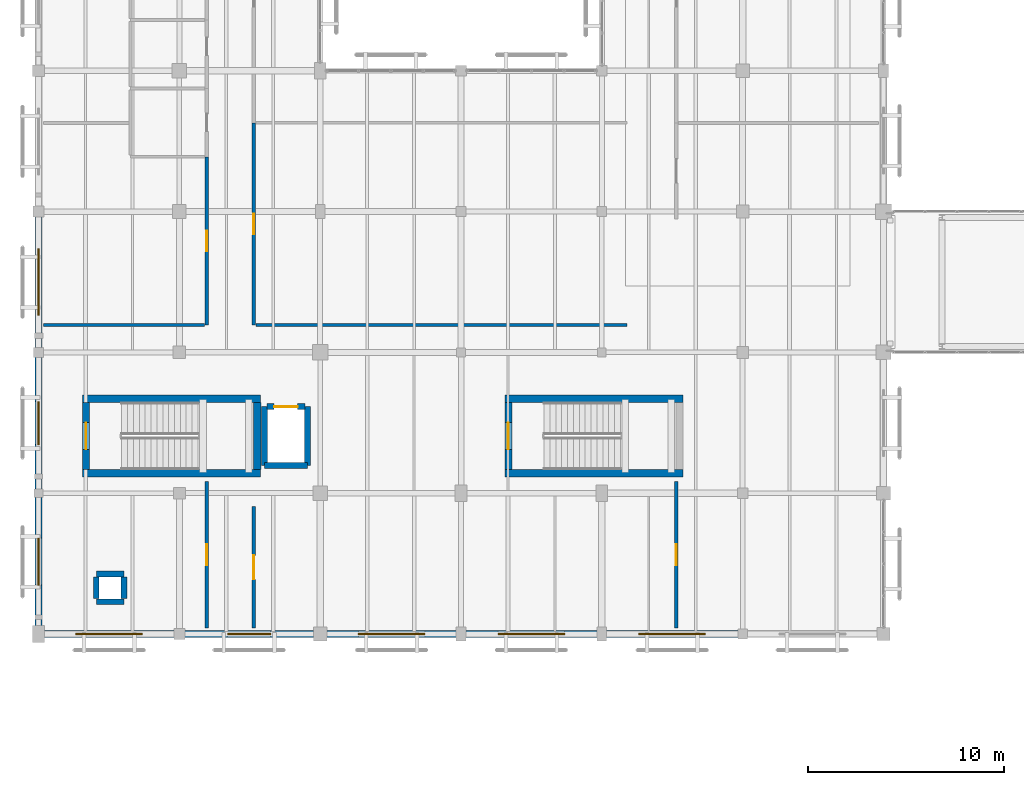
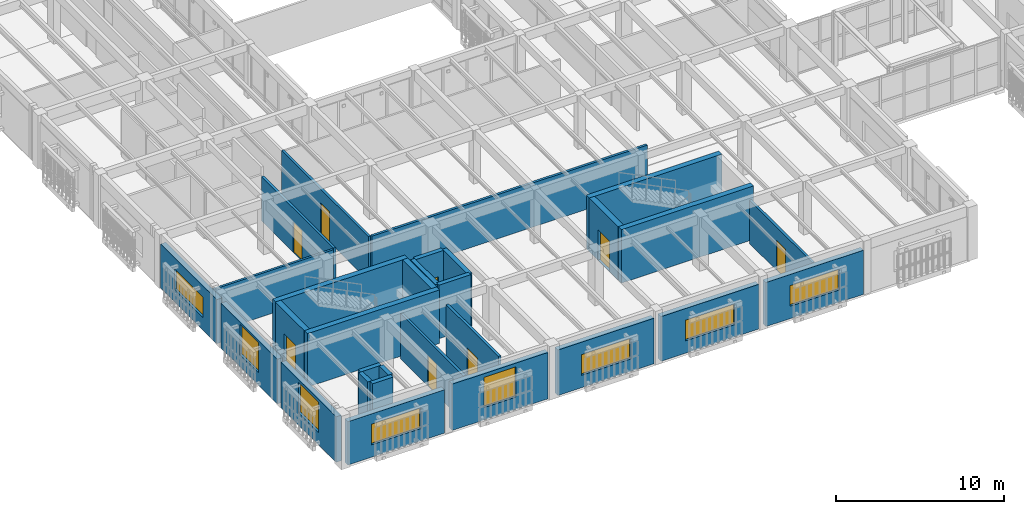
# One storey, part 128 of 170: 30 walls, 8 doors, 8 windows, 16 openings.
"""IFC4 building model written with IfcOpenShell, lengths in metres."""

from ifc_helpers import new_model, si_unit, direction, frame, frame_2d, origin, place, context, subcontext, project, spatial, rectangle, extrude, material, layer, layer_set, type_object, element, fill, save


model = new_model("IFC4")

# Units and contexts
model_context = context("Model", 3, precision=1e-05, world=origin(), true_north=direction((0.0, 1.0)))
body_context = subcontext(model_context, "Body", "Model", "MODEL_VIEW")
ifc_project = project(units=[si_unit("LENGTHUNIT", "METRE"), si_unit("AREAUNIT", "SQUARE_METRE"), si_unit("VOLUMEUNIT", "CUBIC_METRE"), si_unit("PLANEANGLEUNIT", "RADIAN"), si_unit("MASSUNIT", "GRAM", prefix="KILO")], contexts=[model_context])

# Site, building, storey
site_placement = place(None, origin())
site = spatial("IfcSite", under=ifc_project, at=site_placement, CompositionType="ELEMENT")
building_placement = place(site_placement, origin())
building = spatial("IfcBuilding", under=site, at=building_placement, Name="Mazaris Harbour Polytechnic", CompositionType="ELEMENT")
storey_placement = place(building_placement, frame((0.0, 0.0, 5.39990234375)))
storey = spatial("IfcBuildingStorey", under=building, at=storey_placement, Name="L01", CompositionType="ELEMENT", Elevation=5.39990234375)

# Wall
ifc_material_1 = material(Name="Double Gypsum and Mineral Wool")
ifc_layer_1 = layer(ifc_material_1, 0.14990234375, Name="Double Gypsum and Mineral Wool")
ifc_layer_set_1 = layer_set([ifc_layer_1], Name="Double Gypsum and Mineral Wool")
wall_type_1 = type_object("IfcWallType", Name="Classroom Acoustic Partition 150", PredefinedType="PARTITIONING", material=ifc_layer_set_1)
wall_1_placement = place(storey_placement, frame((0.25, 23.0, 0.0), z_axis=(0.0, 0.0, 1.0), x_axis=(1.0, 0.0, 0.0)))
element("IfcWall", 1, at=wall_1_placement, inside=storey, type_object=wall_type_1, Name="V4 L01 Partition 332", PredefinedType="PARTITIONING", context=body_context, shape_type="SweptSolid", body=[
    extrude(rectangle(XDim=8.22998046875, YDim=0.14990234375, at=frame_2d((4.114990234375, 0.0))), origin(), (0.0, 0.0, 1.0), 3.150146484375),
])

# Wall, opening, door
ifc_material_2 = material(Name="Terracotta Block and Plaster", Category="masonry")
ifc_layer_2 = layer(ifc_material_2, 0.179931640625, Name="Terracotta Block and Plaster")
ifc_layer_set_2 = layer_set([ifc_layer_2], Name="Terracotta Block and Plaster")
wall_type_2 = type_object("IfcWallType", Name="Corridor Fire Partition 180", PredefinedType="PARTITIONING", material=ifc_layer_set_2)
wall_2_placement = place(storey_placement, frame((11.0, 7.5, 0.0), z_axis=(0.0, 0.0, 1.0), x_axis=(0.0, 1.0, 0.0)))
wall_2 = element("IfcWall", 2, at=wall_2_placement, inside=storey, type_object=wall_type_2, Name="V4 L01 Partition 344", PredefinedType="PARTITIONING", context=body_context, shape_type="SweptSolid", body=[
    extrude(rectangle(XDim=6.219970703125, YDim=0.179931640625, at=frame_2d((3.10986328125, 0.0))), origin(), (0.0, 0.0, 1.0), 3.89013671875),
])
opening_1_placement = place(wall_2_placement, frame((2.5, 0.0, 0.0)))
opening_1 = element("IfcOpeningElement", 3, at=opening_1_placement, cuts=wall_2, Name="Opening ID-10L", PredefinedType="OPENING", context=body_context, shape_type="SweptSolid", body=[
    extrude(rectangle(XDim=1.219970703125, YDim=2.25, at=frame_2d((0.60986328125, 1.125))), frame((0.0, 0.099853515625, 0.0), z_axis=(0.0, -1.0, 0.0), x_axis=(1.0, 0.0, 0.0)), (0.0, 0.0, 1.0), 0.199951171875),
])
ifc_material_3 = material(Name="Glulam Timber and Glass", Category="wood")
door_type_1 = type_object("IfcDoorType", Name="Library Commons Door LH 1220x2250", OperationType="SINGLE_SWING_LEFT", PredefinedType="DOOR", material=ifc_material_3)
door_1_placement = place(opening_1_placement, origin())
door_1 = element("IfcDoor", 4, at=door_1_placement, inside=storey, type_object=door_type_1, Name="ID-0160", OperationType="SINGLE_SWING_LEFT", OverallHeight=2.25, OverallWidth=1.219970703125, PredefinedType="DOOR", context=body_context, shape_type="SweptSolid", body=[
    extrude(rectangle(XDim=1.219970703125, YDim=2.25, at=frame_2d((0.60986328125, 1.125))), frame((0.0, 0.02490234375, 0.0), z_axis=(0.0, -1.0, 0.0), x_axis=(1.0, 0.0, 0.0)), (0.0, 0.0, 1.0), 0.050048828125),
])
fill(opening_1, door_1)

ifc_material_4 = material(Name="Fireboard and Mineral Wool")
ifc_layer_3 = layer(ifc_material_4, 0.1650390625, Name="Fireboard and Mineral Wool")
ifc_layer_set_3 = layer_set([ifc_layer_3], Name="Fireboard and Mineral Wool")
wall_type_3 = type_object("IfcWallType", Name="Laboratory Rated Partition 165", PredefinedType="PARTITIONING", material=ifc_layer_set_3)
wall_3_placement = place(storey_placement, frame((8.60009765625, 7.5, 0.0), z_axis=(0.0, 0.0, 1.0), x_axis=(0.0, 1.0, 0.0)))
wall_3 = element("IfcWall", 5, at=wall_3_placement, inside=storey, type_object=wall_type_3, Name="V4 L01 Partition 331", PredefinedType="PARTITIONING", context=body_context, shape_type="SweptSolid", body=[
    extrude(rectangle(XDim=7.4951171875, YDim=0.1650390625, at=frame_2d((3.74755859375, 0.0))), origin(), (0.0, 0.0, 1.0), 3.31005859375),
])
opening_2_placement = place(wall_3_placement, frame((3.217529296875, 0.0, 0.0)))
opening_2 = element("IfcOpeningElement", 6, at=opening_2_placement, cuts=wall_3, Name="Opening ID-02R", PredefinedType="OPENING", context=body_context, shape_type="SweptSolid", body=[
    extrude(rectangle(XDim=1.06005859375, YDim=2.199951171875, at=frame_2d((0.530029296875, 1.10009765625))), frame((0.0, 0.092529296875, 0.0), z_axis=(0.0, -1.0, 0.0), x_axis=(1.0, 0.0, 0.0)), (0.0, 0.0, 1.0), 0.18505859375),
])
ifc_material_5 = material(Name="Solid Timber and Vision Panel", Category="wood")
door_type_2 = type_object("IfcDoorType", Name="Laboratory Fire Door RH 1060x2200", OperationType="SINGLE_SWING_RIGHT", PredefinedType="DOOR", material=ifc_material_5)
door_2_placement = place(opening_2_placement, origin())
door_2 = element("IfcDoor", 7, at=door_2_placement, inside=storey, type_object=door_type_2, Name="ID-0153", OperationType="SINGLE_SWING_RIGHT", OverallHeight=2.199951171875, OverallWidth=1.06005859375, PredefinedType="DOOR", context=body_context, shape_type="SweptSolid", body=[
    extrude(rectangle(XDim=1.06005859375, YDim=2.199951171875, at=frame_2d((0.530029296875, 1.10009765625))), frame((0.0, 0.02490234375, 0.0), z_axis=(0.0, -1.0, 0.0), x_axis=(1.0, 0.0, 0.0)), (0.0, 0.0, 1.0), 0.050048828125),
])
fill(opening_2, door_2)

wall_4_placement = place(storey_placement, frame((8.60009765625, 23.0, 0.0), z_axis=(0.0, 0.0, 1.0), x_axis=(0.0, 1.0, 0.0)))
wall_4 = element("IfcWall", 8, at=wall_4_placement, inside=storey, type_object=wall_type_3, Name="V4 L01 Partition 333", PredefinedType="PARTITIONING", context=body_context, shape_type="SweptSolid", body=[
    extrude(rectangle(XDim=8.594970703125, YDim=0.1650390625, at=frame_2d((4.29736328125, 0.0))), origin(), (0.0, 0.0, 1.0), 3.210205078125),
])
opening_3_placement = place(wall_4_placement, frame((3.7724609375, 0.0, 0.0)))
opening_3 = element("IfcOpeningElement", 9, at=opening_3_placement, cuts=wall_4, Name="Opening ID-02L", PredefinedType="OPENING", context=body_context, shape_type="SweptSolid", body=[
    extrude(rectangle(XDim=1.050048828125, YDim=2.199951171875, at=frame_2d((0.52490234375, 1.10009765625))), frame((0.0, 0.092529296875, 0.0), z_axis=(0.0, -1.0, 0.0), x_axis=(1.0, 0.0, 0.0)), (0.0, 0.0, 1.0), 0.18505859375),
])
ifc_material_6 = material(Name="Solid Timber and Vision Panel", Category="wood")
door_type_3 = type_object("IfcDoorType", Name="Laboratory Fire Door LH 1050x2200", OperationType="SINGLE_SWING_LEFT", PredefinedType="DOOR", material=ifc_material_6)
door_3_placement = place(opening_3_placement, origin())
door_3 = element("IfcDoor", 10, at=door_3_placement, inside=storey, type_object=door_type_3, Name="ID-0154", OperationType="SINGLE_SWING_LEFT", OverallHeight=2.199951171875, OverallWidth=1.050048828125, PredefinedType="DOOR", context=body_context, shape_type="SweptSolid", body=[
    extrude(rectangle(XDim=1.050048828125, YDim=2.199951171875, at=frame_2d((0.52490234375, 1.10009765625))), frame((0.0, 0.02490234375, 0.0), z_axis=(0.0, -1.0, 0.0), x_axis=(1.0, 0.0, 0.0)), (0.0, 0.0, 1.0), 0.050048828125),
])
fill(opening_3, door_3)

wall_5_placement = place(storey_placement, frame((11.0, 23.0, 0.0), z_axis=(0.0, 0.0, 1.0), x_axis=(0.0, 1.0, 0.0)))
wall_5 = element("IfcWall", 11, at=wall_5_placement, inside=storey, type_object=wall_type_3, Name="V4 L01 Partition 345", PredefinedType="PARTITIONING", context=body_context, shape_type="SweptSolid", body=[
    extrude(rectangle(XDim=10.3330078125, YDim=0.1650390625, at=frame_2d((5.16650390625, 0.0))), origin(), (0.0, 0.0, 1.0), 3.210205078125),
])
opening_4_placement = place(wall_5_placement, frame((4.636474609375, 0.0, 0.0)))
opening_4 = element("IfcOpeningElement", 12, at=opening_4_placement, cuts=wall_5, Name="Opening ID-02R", PredefinedType="OPENING", context=body_context, shape_type="SweptSolid", body=[
    extrude(rectangle(XDim=1.06005859375, YDim=2.199951171875, at=frame_2d((0.530029296875, 1.10009765625))), frame((0.0, 0.092529296875, 0.0), z_axis=(0.0, -1.0, 0.0), x_axis=(1.0, 0.0, 0.0)), (0.0, 0.0, 1.0), 0.18505859375),
])
door_4_placement = place(opening_4_placement, origin())
door_4 = element("IfcDoor", 13, at=door_4_placement, inside=storey, type_object=door_type_2, Name="ID-0161", OperationType="SINGLE_SWING_RIGHT", OverallHeight=2.199951171875, OverallWidth=1.06005859375, PredefinedType="DOOR", context=body_context, shape_type="SweptSolid", body=[
    extrude(rectangle(XDim=1.06005859375, YDim=2.199951171875, at=frame_2d((0.530029296875, 1.10009765625))), frame((0.0, 0.02490234375, 0.0), z_axis=(0.0, -1.0, 0.0), x_axis=(1.0, 0.0, 0.0)), (0.0, 0.0, 1.0), 0.050048828125),
])
fill(opening_4, door_4)

# Wall
wall_6_placement = place(storey_placement, frame((11.1201171875, 23.0, 0.0), z_axis=(0.0, 0.0, 1.0), x_axis=(1.0, 0.0, 0.0)))
element("IfcWall", 14, at=wall_6_placement, inside=storey, type_object=wall_type_3, Name="V4 L01 Partition 346", PredefinedType="PARTITIONING", context=body_context, shape_type="SweptSolid", body=[
    extrude(rectangle(XDim=18.9599609375, YDim=0.1650390625, at=frame_2d((9.47998046875, 0.0))), origin(), (0.0, 0.0, 1.0), 3.210205078125),
])

# Wall, opening, door
wall_7_placement = place(storey_placement, frame((32.60009765625, 7.5, 0.0), z_axis=(0.0, 0.0, 1.0), x_axis=(0.0, 1.0, 0.0)))
wall_7 = element("IfcWall", 15, at=wall_7_placement, inside=storey, type_object=wall_type_3, Name="V4 L01 Partition 357", PredefinedType="PARTITIONING", context=body_context, shape_type="SweptSolid", body=[
    extrude(rectangle(XDim=7.4951171875, YDim=0.1650390625, at=frame_2d((3.74755859375, 0.0))), origin(), (0.0, 0.0, 1.0), 3.150146484375),
])
opening_5_placement = place(wall_7_placement, frame((3.217529296875, 0.0, 0.0)))
opening_5 = element("IfcOpeningElement", 16, at=opening_5_placement, cuts=wall_7, Name="Opening ID-02R", PredefinedType="OPENING", context=body_context, shape_type="SweptSolid", body=[
    extrude(rectangle(XDim=1.06005859375, YDim=2.199951171875, at=frame_2d((0.530029296875, 1.10009765625))), frame((0.0, 0.092529296875, 0.0), z_axis=(0.0, -1.0, 0.0), x_axis=(1.0, 0.0, 0.0)), (0.0, 0.0, 1.0), 0.18505859375),
])
door_5_placement = place(opening_5_placement, origin())
door_5 = element("IfcDoor", 17, at=door_5_placement, inside=storey, type_object=door_type_2, Name="ID-0167", OperationType="SINGLE_SWING_RIGHT", OverallHeight=2.199951171875, OverallWidth=1.06005859375, PredefinedType="DOOR", context=body_context, shape_type="SweptSolid", body=[
    extrude(rectangle(XDim=1.06005859375, YDim=2.199951171875, at=frame_2d((0.530029296875, 1.10009765625))), frame((0.0, 0.02490234375, 0.0), z_axis=(0.0, -1.0, 0.0), x_axis=(1.0, 0.0, 0.0)), (0.0, 0.0, 1.0), 0.050048828125),
])
fill(opening_5, door_5)

# Wall, opening, window
ifc_material_7 = material(Name="Algerian Buff Limestone and Concrete C30/37", Category="masonry")
ifc_layer_4 = layer(ifc_material_7, 0.360107421875, Name="Algerian Buff Limestone and Concrete C30/37")
ifc_layer_set_4 = layer_set([ifc_layer_4], Name="Algerian Buff Limestone and Concrete C30/37")
wall_type_4 = type_object("IfcWallType", Name="Limestone Ashlar Exterior Wall 360", PredefinedType="STANDARD", material=ifc_layer_set_4)
wall_8_placement = place(storey_placement, frame((6.93310546875, 7.199951171875, 0.0), z_axis=(0.0, 0.0, 1.0), x_axis=(-1.0, 0.0, 0.0)))
wall_8 = element("IfcWall", 18, at=wall_8_placement, inside=storey, type_object=wall_type_4, Name="V4 L01 Exterior Wall 158", PredefinedType="STANDARD", context=body_context, shape_type="SweptSolid", body=[
    extrude(rectangle(XDim=6.64111328125, YDim=0.360107421875, at=frame_2d((3.320556640625, 0.0))), origin(), (0.0, 0.0, 1.0), 3.150146484375),
])
opening_6_placement = place(wall_8_placement, frame((1.62060546875, 0.0, 0.89990234375)))
opening_6 = element("IfcOpeningElement", 19, at=opening_6_placement, cuts=wall_8, Name="Opening WN-16", PredefinedType="OPENING", context=body_context, shape_type="SweptSolid", body=[
    extrude(rectangle(XDim=3.39990234375, YDim=1.5, at=frame_2d((1.699951171875, 0.75))), frame((0.0, 0.18994140625, 0.0), z_axis=(0.0, -1.0, 0.0), x_axis=(1.0, 0.0, 0.0)), (0.0, 0.0, 1.0), 0.380126953125),
])
ifc_material_8 = material(Name="Thermally Broken Bronze Aluminium and Low-E Glass", Category="aluminium")
window_type_1 = type_object("IfcWindowType", Name="Workshop Clerestory Ribbon 3400x1500", PartitioningType="DOUBLE_PANEL_VERTICAL", PredefinedType="WINDOW", material=ifc_material_8)
window_1_placement = place(opening_6_placement, origin())
window_1 = element("IfcWindow", 20, at=window_1_placement, inside=storey, type_object=window_type_1, Name="WN-0160", OverallHeight=1.5, OverallWidth=3.39990234375, PartitioningType="DOUBLE_PANEL_VERTICAL", PredefinedType="WINDOW", context=body_context, shape_type="SweptSolid", body=[
    extrude(rectangle(XDim=3.39990234375, YDim=1.5, at=frame_2d((1.699951171875, 0.75))), frame((0.0, 0.030029296875, 0.0), z_axis=(0.0, -1.0, 0.0), x_axis=(1.0, 0.0, 0.0)), (0.0, 0.0, 1.0), 0.06005859375),
])
fill(opening_6, window_1)

wall_9_placement = place(storey_placement, frame((14.05810546875, 7.199951171875, 0.0), z_axis=(0.0, 0.0, 1.0), x_axis=(-1.0, 0.0, 0.0)))
wall_9 = element("IfcWall", 21, at=wall_9_placement, inside=storey, type_object=wall_type_4, Name="V4 L01 Exterior Wall 159", PredefinedType="STANDARD", context=body_context, shape_type="SweptSolid", body=[
    extrude(rectangle(XDim=6.591064453125, YDim=0.360107421875, at=frame_2d((3.29541015625, 0.0))), origin(), (0.0, 0.0, 1.0), 3.3701171875),
])
opening_7_placement = place(wall_9_placement, frame((2.195556640625, 0.0, 0.89990234375)))
opening_7 = element("IfcOpeningElement", 22, at=opening_7_placement, cuts=wall_9, Name="Opening WN-06", PredefinedType="OPENING", context=body_context, shape_type="SweptSolid", body=[
    extrude(rectangle(XDim=2.199951171875, YDim=2.199951171875, at=frame_2d((1.10009765625, 1.10009765625))), frame((0.0, 0.18994140625, 0.0), z_axis=(0.0, -1.0, 0.0), x_axis=(1.0, 0.0, 0.0)), (0.0, 0.0, 1.0), 0.380126953125),
])
ifc_material_9 = material(Name="Thermally Broken Bronze Aluminium and Low-E Glass", Category="aluminium")
window_type_2 = type_object("IfcWindowType", Name="Laboratory Paired Window 2200x2200", PartitioningType="DOUBLE_PANEL_VERTICAL", PredefinedType="WINDOW", material=ifc_material_9)
window_2_placement = place(opening_7_placement, origin())
window_2 = element("IfcWindow", 23, at=window_2_placement, inside=storey, type_object=window_type_2, Name="WN-0161", OverallHeight=2.199951171875, OverallWidth=2.199951171875, PartitioningType="DOUBLE_PANEL_VERTICAL", PredefinedType="WINDOW", context=body_context, shape_type="SweptSolid", body=[
    extrude(rectangle(XDim=2.199951171875, YDim=2.199951171875, at=frame_2d((1.10009765625, 1.10009765625))), frame((0.0, 0.030029296875, 0.0), z_axis=(0.0, -1.0, 0.0), x_axis=(1.0, 0.0, 0.0)), (0.0, 0.0, 1.0), 0.06005859375),
])
fill(opening_7, window_2)

wall_10_placement = place(storey_placement, frame((21.35791015625, 7.199951171875, 0.0), z_axis=(0.0, 0.0, 1.0), x_axis=(-1.0, 0.0, 0.0)))
wall_10 = element("IfcWall", 24, at=wall_10_placement, inside=storey, type_object=wall_type_4, Name="V4 L01 Exterior Wall 160", PredefinedType="STANDARD", context=body_context, shape_type="SweptSolid", body=[
    extrude(rectangle(XDim=6.615966796875, YDim=0.360107421875, at=frame_2d((3.30810546875, 0.0))), origin(), (0.0, 0.0, 1.0), 3.31005859375),
])
opening_8_placement = place(wall_10_placement, frame((1.60791015625, 0.0, 0.89990234375)))
opening_8 = element("IfcOpeningElement", 25, at=opening_8_placement, cuts=wall_10, Name="Opening WN-16", PredefinedType="OPENING", context=body_context, shape_type="SweptSolid", body=[
    extrude(rectangle(XDim=3.39990234375, YDim=1.5, at=frame_2d((1.699951171875, 0.75))), frame((0.0, 0.18994140625, 0.0), z_axis=(0.0, -1.0, 0.0), x_axis=(1.0, 0.0, 0.0)), (0.0, 0.0, 1.0), 0.380126953125),
])
window_3_placement = place(opening_8_placement, origin())
window_3 = element("IfcWindow", 26, at=window_3_placement, inside=storey, type_object=window_type_1, Name="WN-0162", OverallHeight=1.5, OverallWidth=3.39990234375, PartitioningType="DOUBLE_PANEL_VERTICAL", PredefinedType="WINDOW", context=body_context, shape_type="SweptSolid", body=[
    extrude(rectangle(XDim=3.39990234375, YDim=1.5, at=frame_2d((1.699951171875, 0.75))), frame((0.0, 0.030029296875, 0.0), z_axis=(0.0, -1.0, 0.0), x_axis=(1.0, 0.0, 0.0)), (0.0, 0.0, 1.0), 0.06005859375),
])
fill(opening_8, window_3)

wall_11_placement = place(storey_placement, frame((28.55810546875, 7.199951171875, 0.0), z_axis=(0.0, 0.0, 1.0), x_axis=(-1.0, 0.0, 0.0)))
wall_11 = element("IfcWall", 27, at=wall_11_placement, inside=storey, type_object=wall_type_4, Name="V4 L01 Exterior Wall 161", PredefinedType="STANDARD", context=body_context, shape_type="SweptSolid", body=[
    extrude(rectangle(XDim=6.716064453125, YDim=0.360107421875, at=frame_2d((3.35791015625, 0.0))), origin(), (0.0, 0.0, 1.0), 3.25),
])
opening_9_placement = place(wall_11_placement, frame((1.657958984375, 0.0, 0.89990234375)))
opening_9 = element("IfcOpeningElement", 28, at=opening_9_placement, cuts=wall_11, Name="Opening WN-16", PredefinedType="OPENING", context=body_context, shape_type="SweptSolid", body=[
    extrude(rectangle(XDim=3.39990234375, YDim=1.5, at=frame_2d((1.699951171875, 0.75))), frame((0.0, 0.18994140625, 0.0), z_axis=(0.0, -1.0, 0.0), x_axis=(1.0, 0.0, 0.0)), (0.0, 0.0, 1.0), 0.380126953125),
])
window_4_placement = place(opening_9_placement, origin())
window_4 = element("IfcWindow", 29, at=window_4_placement, inside=storey, type_object=window_type_1, Name="WN-0163", OverallHeight=1.5, OverallWidth=3.39990234375, PartitioningType="DOUBLE_PANEL_VERTICAL", PredefinedType="WINDOW", context=body_context, shape_type="SweptSolid", body=[
    extrude(rectangle(XDim=3.39990234375, YDim=1.5, at=frame_2d((1.699951171875, 0.75))), frame((0.0, 0.030029296875, 0.0), z_axis=(0.0, -1.0, 0.0), x_axis=(1.0, 0.0, 0.0)), (0.0, 0.0, 1.0), 0.06005859375),
])
fill(opening_9, window_4)

wall_12_placement = place(storey_placement, frame((35.758056640625, 7.199951171875, 0.0), z_axis=(0.0, 0.0, 1.0), x_axis=(-1.0, 0.0, 0.0)))
wall_12 = element("IfcWall", 30, at=wall_12_placement, inside=storey, type_object=wall_type_4, Name="V4 L01 Exterior Wall 162", PredefinedType="STANDARD", context=body_context, shape_type="SweptSolid", body=[
    extrude(rectangle(XDim=6.716064453125, YDim=0.360107421875, at=frame_2d((3.35791015625, 0.0))), origin(), (0.0, 0.0, 1.0), 3.210205078125),
])
opening_10_placement = place(wall_12_placement, frame((1.657958984375, 0.0, 0.89990234375)))
opening_10 = element("IfcOpeningElement", 31, at=opening_10_placement, cuts=wall_12, Name="Opening WN-16", PredefinedType="OPENING", context=body_context, shape_type="SweptSolid", body=[
    extrude(rectangle(XDim=3.39990234375, YDim=1.5, at=frame_2d((1.699951171875, 0.75))), frame((0.0, 0.18994140625, 0.0), z_axis=(0.0, -1.0, 0.0), x_axis=(1.0, 0.0, 0.0)), (0.0, 0.0, 1.0), 0.380126953125),
])
window_5_placement = place(opening_10_placement, origin())
window_5 = element("IfcWindow", 32, at=window_5_placement, inside=storey, type_object=window_type_1, Name="WN-0164", OverallHeight=1.5, OverallWidth=3.39990234375, PartitioningType="DOUBLE_PANEL_VERTICAL", PredefinedType="WINDOW", context=body_context, shape_type="SweptSolid", body=[
    extrude(rectangle(XDim=3.39990234375, YDim=1.5, at=frame_2d((1.699951171875, 0.75))), frame((0.0, 0.030029296875, 0.0), z_axis=(0.0, -1.0, 0.0), x_axis=(1.0, 0.0, 0.0)), (0.0, 0.0, 1.0), 0.06005859375),
])
fill(opening_10, window_5)

wall_13_placement = place(storey_placement, frame((0.0, 7.616943359375, 0.0), z_axis=(0.0, 0.0, 1.0), x_axis=(0.0, 1.0, 0.0)))
wall_13 = element("IfcWall", 33, at=wall_13_placement, inside=storey, type_object=wall_type_4, Name="V4 L01 Exterior Wall 170", PredefinedType="STANDARD", context=body_context, shape_type="SweptSolid", body=[
    extrude(rectangle(XDim=6.566162109375, YDim=0.360107421875, at=frame_2d((3.283203125, 0.0))), origin(), (0.0, 0.0, 1.0), 3.31005859375),
])
opening_11_placement = place(wall_13_placement, frame((2.0830078125, 0.0, 0.89990234375)))
opening_11 = element("IfcOpeningElement", 34, at=opening_11_placement, cuts=wall_13, Name="Opening WN-07", PredefinedType="OPENING", context=body_context, shape_type="SweptSolid", body=[
    extrude(rectangle(XDim=2.39990234375, YDim=2.199951171875, at=frame_2d((1.199951171875, 1.10009765625))), frame((0.0, 0.18994140625, 0.0), z_axis=(0.0, -1.0, 0.0), x_axis=(1.0, 0.0, 0.0)), (0.0, 0.0, 1.0), 0.380126953125),
])
ifc_material_10 = material(Name="Thermally Broken Bronze Aluminium and Low-E Glass", Category="aluminium")
window_type_3 = type_object("IfcWindowType", Name="Laboratory Paired Window 2400x2200", PartitioningType="DOUBLE_PANEL_VERTICAL", PredefinedType="WINDOW", material=ifc_material_10)
window_6_placement = place(opening_11_placement, origin())
window_6 = element("IfcWindow", 35, at=window_6_placement, inside=storey, type_object=window_type_3, Name="WN-0172", OverallHeight=2.199951171875, OverallWidth=2.39990234375, PartitioningType="DOUBLE_PANEL_VERTICAL", PredefinedType="WINDOW", context=body_context, shape_type="SweptSolid", body=[
    extrude(rectangle(XDim=2.39990234375, YDim=2.199951171875, at=frame_2d((1.199951171875, 1.10009765625))), frame((0.0, 0.030029296875, 0.0), z_axis=(0.0, -1.0, 0.0), x_axis=(1.0, 0.0, 0.0)), (0.0, 0.0, 1.0), 0.06005859375),
])
fill(opening_11, window_6)

wall_14_placement = place(storey_placement, frame((0.0, 14.616943359375, 0.0), z_axis=(0.0, 0.0, 1.0), x_axis=(0.0, 1.0, 0.0)))
wall_14 = element("IfcWall", 36, at=wall_14_placement, inside=storey, type_object=wall_type_4, Name="V4 L01 Exterior Wall 171", PredefinedType="STANDARD", context=body_context, shape_type="SweptSolid", body=[
    extrude(rectangle(XDim=6.740966796875, YDim=0.360107421875, at=frame_2d((3.37060546875, 0.0))), origin(), (0.0, 0.0, 1.0), 3.25),
])
opening_12_placement = place(wall_14_placement, frame((2.2705078125, 0.0, 0.89990234375)))
opening_12 = element("IfcOpeningElement", 37, at=opening_12_placement, cuts=wall_14, Name="Opening WN-06", PredefinedType="OPENING", context=body_context, shape_type="SweptSolid", body=[
    extrude(rectangle(XDim=2.199951171875, YDim=2.199951171875, at=frame_2d((1.10009765625, 1.10009765625))), frame((0.0, 0.18994140625, 0.0), z_axis=(0.0, -1.0, 0.0), x_axis=(1.0, 0.0, 0.0)), (0.0, 0.0, 1.0), 0.380126953125),
])
window_7_placement = place(opening_12_placement, origin())
window_7 = element("IfcWindow", 38, at=window_7_placement, inside=storey, type_object=window_type_2, Name="WN-0173", OverallHeight=2.199951171875, OverallWidth=2.199951171875, PartitioningType="DOUBLE_PANEL_VERTICAL", PredefinedType="WINDOW", context=body_context, shape_type="SweptSolid", body=[
    extrude(rectangle(XDim=2.199951171875, YDim=2.199951171875, at=frame_2d((1.10009765625, 1.10009765625))), frame((0.0, 0.030029296875, 0.0), z_axis=(0.0, -1.0, 0.0), x_axis=(1.0, 0.0, 0.0)), (0.0, 0.0, 1.0), 0.06005859375),
])
fill(opening_12, window_7)

wall_15_placement = place(storey_placement, frame((0.0, 21.842041015625, 0.0), z_axis=(0.0, 0.0, 1.0), x_axis=(0.0, 1.0, 0.0)))
wall_15 = element("IfcWall", 39, at=wall_15_placement, inside=storey, type_object=wall_type_4, Name="V4 L01 Exterior Wall 172", PredefinedType="STANDARD", context=body_context, shape_type="SweptSolid", body=[
    extrude(rectangle(XDim=6.69091796875, YDim=0.360107421875, at=frame_2d((3.345458984375, 0.0))), origin(), (0.0, 0.0, 1.0), 3.210205078125),
])
opening_13_placement = place(wall_15_placement, frame((1.6455078125, 0.0, 0.89990234375)))
opening_13 = element("IfcOpeningElement", 40, at=opening_13_placement, cuts=wall_15, Name="Opening WN-16", PredefinedType="OPENING", context=body_context, shape_type="SweptSolid", body=[
    extrude(rectangle(XDim=3.39990234375, YDim=1.5, at=frame_2d((1.699951171875, 0.75))), frame((0.0, 0.18994140625, 0.0), z_axis=(0.0, -1.0, 0.0), x_axis=(1.0, 0.0, 0.0)), (0.0, 0.0, 1.0), 0.380126953125),
])
window_8_placement = place(opening_13_placement, origin())
window_8 = element("IfcWindow", 41, at=window_8_placement, inside=storey, type_object=window_type_1, Name="WN-0174", OverallHeight=1.5, OverallWidth=3.39990234375, PartitioningType="DOUBLE_PANEL_VERTICAL", PredefinedType="WINDOW", context=body_context, shape_type="SweptSolid", body=[
    extrude(rectangle(XDim=3.39990234375, YDim=1.5, at=frame_2d((1.699951171875, 0.75))), frame((0.0, 0.030029296875, 0.0), z_axis=(0.0, -1.0, 0.0), x_axis=(1.0, 0.0, 0.0)), (0.0, 0.0, 1.0), 0.06005859375),
])
fill(opening_13, window_8)

# Walls
ifc_material_11 = material(Name="Concrete C40/50", Category="concrete")
ifc_layer_5 = layer(ifc_material_11, 0.375, Name="Concrete C40/50")
ifc_layer_set_5 = layer_set([ifc_layer_5], Name="Concrete C40/50")
wall_type_5 = type_object("IfcWallType", Name="RC Core Shear Wall 375", PredefinedType="SHEAR", material=ifc_layer_set_5)
for number, where, z_axis, x_axis, name in (
    (42, (2.25, 15.425048828125, 0.0), (0.0, 0.0, 1.0), (1.0, 0.0, 0.0), "Core ST07 L01 Shear Wall S"),
    (43, (11.35009765625, 19.22509765625, 0.0), (0.0, 0.0, 1.0), (-1.0, 0.0, 0.0), "Core ST07 L01 Shear Wall N"),
):
    element("IfcWall", number, at=place(storey_placement, frame(where, z_axis=z_axis, x_axis=x_axis)), inside=storey, type_object=wall_type_5, Name=name, PredefinedType="SHEAR", context=body_context, shape_type="SweptSolid", body=[
        extrude(rectangle(XDim=9.10009765625, YDim=0.375, at=frame_2d((4.550048828125, 0.0))), origin(), (0.0, 0.0, 1.0), 3.89013671875),
    ])
wall_16_placement = place(storey_placement, frame((11.175048828125, 15.60009765625, 0.0), z_axis=(0.0, 0.0, 1.0), x_axis=(0.0, 1.0, 0.0)))
element("IfcWall", 44, at=wall_16_placement, inside=storey, type_object=wall_type_5, Name="Core ST07 L01 Shear Wall E", PredefinedType="SHEAR", context=body_context, shape_type="SweptSolid", body=[
    extrude(rectangle(XDim=3.449951171875, YDim=0.375, at=frame_2d((1.72509765625, 0.0))), origin(), (0.0, 0.0, 1.0), 3.89013671875),
])
for number, where, z_axis, x_axis, name in (
    (45, (23.85009765625, 15.425048828125, 0.0), (0.0, 0.0, 1.0), (1.0, 0.0, 0.0), "Core ST08 L01 Shear Wall S"),
    (46, (32.949951171875, 19.22509765625, 0.0), (0.0, 0.0, 1.0), (-1.0, 0.0, 0.0), "Core ST08 L01 Shear Wall N"),
):
    element("IfcWall", number, at=place(storey_placement, frame(where, z_axis=z_axis, x_axis=x_axis)), inside=storey, type_object=wall_type_5, Name=name, PredefinedType="SHEAR", context=body_context, shape_type="SweptSolid", body=[
        extrude(rectangle(XDim=9.099853515625, YDim=0.375, at=frame_2d((4.5498046875, 0.0))), origin(), (0.0, 0.0, 1.0), 3.89013671875),
    ])

# Wall, opening, door
wall_17_placement = place(storey_placement, frame((2.425048828125, 19.050048828125, 0.0), z_axis=(0.0, 0.0, 1.0), x_axis=(0.0, -1.0, 0.0)))
wall_17 = element("IfcWall", 47, at=wall_17_placement, inside=storey, type_object=wall_type_5, Name="Core ST07 L01 Entrance Shear Wall", PredefinedType="SHEAR", context=body_context, shape_type="SweptSolid", body=[
    extrude(rectangle(XDim=3.449951171875, YDim=0.375, at=frame_2d((1.72509765625, 0.0))), origin(), (0.0, 0.0, 1.0), 3.89013671875),
])
opening_14_placement = place(wall_17_placement, frame((1.034912109375, 0.0, 0.0)))
opening_14 = element("IfcOpeningElement", 48, at=opening_14_placement, cuts=wall_17, Name="Opening SD-01", PredefinedType="OPENING", context=body_context, shape_type="SweptSolid", body=[
    extrude(rectangle(XDim=1.3798828125, YDim=2.199951171875, at=frame_2d((0.68994140625, 1.10009765625))), frame((0.0, 0.197509765625, 0.0), z_axis=(0.0, -1.0, 0.0), x_axis=(1.0, 0.0, 0.0)), (0.0, 0.0, 1.0), 0.39501953125),
])
ifc_material_12 = material(Name="Glulam Timber and Fire Glass", Category="wood")
door_type_4 = type_object("IfcDoorType", Name="Protected Stair Lobby Fire Door 1380x2200", OperationType="DOUBLE_DOOR_SINGLE_SWING", PredefinedType="DOOR", material=ifc_material_12)
door_6_placement = place(opening_14_placement, origin())
door_6 = element("IfcDoor", 49, at=door_6_placement, inside=storey, type_object=door_type_4, Name="SD-030", OperationType="DOUBLE_DOOR_SINGLE_SWING", OverallHeight=2.199951171875, OverallWidth=1.3798828125, PredefinedType="DOOR", context=body_context, shape_type="SweptSolid", body=[
    extrude(rectangle(XDim=1.3798828125, YDim=2.199951171875, at=frame_2d((0.68994140625, 1.10009765625))), frame((0.0, 0.02490234375, 0.0), z_axis=(0.0, -1.0, 0.0), x_axis=(1.0, 0.0, 0.0)), (0.0, 0.0, 1.0), 0.050048828125),
])
fill(opening_14, door_6)

wall_18_placement = place(storey_placement, frame((24.02490234375, 19.050048828125, 0.0), z_axis=(0.0, 0.0, 1.0), x_axis=(0.0, -1.0, 0.0)))
wall_18 = element("IfcWall", 50, at=wall_18_placement, inside=storey, type_object=wall_type_5, Name="Core ST08 L01 Entrance Shear Wall", PredefinedType="SHEAR", context=body_context, shape_type="SweptSolid", body=[
    extrude(rectangle(XDim=3.449951171875, YDim=0.375, at=frame_2d((1.72509765625, 0.0))), origin(), (0.0, 0.0, 1.0), 3.89013671875),
])
opening_15_placement = place(wall_18_placement, frame((1.034912109375, 0.0, 0.0)))
opening_15 = element("IfcOpeningElement", 51, at=opening_15_placement, cuts=wall_18, Name="Opening SD-01", PredefinedType="OPENING", context=body_context, shape_type="SweptSolid", body=[
    extrude(rectangle(XDim=1.3798828125, YDim=2.199951171875, at=frame_2d((0.68994140625, 1.10009765625))), frame((0.0, 0.197509765625, 0.0), z_axis=(0.0, -1.0, 0.0), x_axis=(1.0, 0.0, 0.0)), (0.0, 0.0, 1.0), 0.39501953125),
])
door_7_placement = place(opening_15_placement, origin())
door_7 = element("IfcDoor", 52, at=door_7_placement, inside=storey, type_object=door_type_4, Name="SD-037", OperationType="DOUBLE_DOOR_SINGLE_SWING", OverallHeight=2.199951171875, OverallWidth=1.3798828125, PredefinedType="DOOR", context=body_context, shape_type="SweptSolid", body=[
    extrude(rectangle(XDim=1.3798828125, YDim=2.199951171875, at=frame_2d((0.68994140625, 1.10009765625))), frame((0.0, 0.02490234375, 0.0), z_axis=(0.0, -1.0, 0.0), x_axis=(1.0, 0.0, 0.0)), (0.0, 0.0, 1.0), 0.050048828125),
])
fill(opening_15, door_7)

# Walls
ifc_material_13 = material(Name="Concrete C40/50", Category="concrete")
ifc_layer_6 = layer(ifc_material_13, 0.300048828125, Name="Concrete C40/50")
ifc_layer_set_6 = layer_set([ifc_layer_6], Name="Concrete C40/50")
wall_type_6 = type_object("IfcWallType", Name="RC Lift Shaft Wall 300", PredefinedType="SHEAR", material=ifc_layer_set_6)
wall_19_placement = place(storey_placement, frame((2.949951171875, 8.85009765625, 0.0), z_axis=(0.0, 0.0, 1.0), x_axis=(1.0, 0.0, 0.0)))
element("IfcWall", 53, at=wall_19_placement, inside=storey, type_object=wall_type_6, Name="V4 L01 Riser Enclosure Wall 1-1", PredefinedType="SHEAR", context=body_context, shape_type="SweptSolid", body=[
    extrude(rectangle(XDim=1.420166015625, YDim=0.300048828125, at=frame_2d((0.7099609375, 0.0))), origin(), (0.0, 0.0, 1.0), 3.960205078125),
])
wall_20_placement = place(storey_placement, frame((4.3701171875, 9.010009765625, 0.0), z_axis=(0.0, 0.0, 1.0), x_axis=(0.0, 1.0, 0.0)))
element("IfcWall", 54, at=wall_20_placement, inside=storey, type_object=wall_type_6, Name="V4 L01 Riser Enclosure Wall 1-2", PredefinedType="SHEAR", context=body_context, shape_type="SweptSolid", body=[
    extrude(rectangle(XDim=1.10009765625, YDim=0.300048828125, at=frame_2d((0.550048828125, 0.0))), origin(), (0.0, 0.0, 1.0), 3.960205078125),
])
wall_21_placement = place(storey_placement, frame((4.3701171875, 10.27001953125, 0.0), z_axis=(0.0, 0.0, 1.0), x_axis=(-1.0, 0.0, 0.0)))
element("IfcWall", 55, at=wall_21_placement, inside=storey, type_object=wall_type_6, Name="V4 L01 Riser Enclosure Wall 1-3", PredefinedType="SHEAR", context=body_context, shape_type="SweptSolid", body=[
    extrude(rectangle(XDim=1.420166015625, YDim=0.300048828125, at=frame_2d((0.7099609375, 0.0))), origin(), (0.0, 0.0, 1.0), 3.960205078125),
])
wall_22_placement = place(storey_placement, frame((2.949951171875, 10.110107421875, 0.0), z_axis=(0.0, 0.0, 1.0), x_axis=(0.0, -1.0, 0.0)))
element("IfcWall", 56, at=wall_22_placement, inside=storey, type_object=wall_type_6, Name="V4 L01 Riser Enclosure Wall 1-4", PredefinedType="SHEAR", context=body_context, shape_type="SweptSolid", body=[
    extrude(rectangle(XDim=1.10009765625, YDim=0.300048828125, at=frame_2d((0.550048828125, 0.0))), origin(), (0.0, 0.0, 1.0), 3.960205078125),
])
wall_23_placement = place(storey_placement, frame((11.550048828125, 15.824951171875, 0.0), z_axis=(0.0, 0.0, 1.0), x_axis=(1.0, 0.0, 0.0)))
element("IfcWall", 57, at=wall_23_placement, inside=storey, type_object=wall_type_6, Name="Lift LF-01 L01 South Shaft Wall", PredefinedType="SHEAR", context=body_context, shape_type="SweptSolid", body=[
    extrude(rectangle(XDim=2.199951171875, YDim=0.300048828125, at=frame_2d((1.10009765625, 0.0))), origin(), (0.0, 0.0, 1.0), 3.89013671875),
])
for number, where, z_axis, x_axis, name in (
    (58, (11.550048828125, 18.824951171875, 0.0), (0.0, 0.0, 1.0), (0.0, -1.0, 0.0), "Lift LF-01 L01 West Shaft Wall"),
    (59, (13.75, 15.824951171875, 0.0), (0.0, 0.0, 1.0), (0.0, 1.0, 0.0), "Lift LF-01 L01 East Shaft Wall"),
):
    element("IfcWall", number, at=place(storey_placement, frame(where, z_axis=z_axis, x_axis=x_axis)), inside=storey, type_object=wall_type_6, Name=name, PredefinedType="SHEAR", context=body_context, shape_type="SweptSolid", body=[
        extrude(rectangle(XDim=3.0, YDim=0.300048828125, at=frame_2d((1.5, 0.0))), origin(), (0.0, 0.0, 1.0), 3.89013671875),
    ])

# Wall, opening, door
wall_24_placement = place(storey_placement, frame((11.68994140625, 18.824951171875, 0.0), z_axis=(0.0, 0.0, 1.0), x_axis=(1.0, 0.0, 0.0)))
wall_24 = element("IfcWall", 60, at=wall_24_placement, inside=storey, type_object=wall_type_6, Name="Lift LF-01 L01 Front Shaft Wall", PredefinedType="SHEAR", context=body_context, shape_type="SweptSolid", body=[
    extrude(rectangle(XDim=1.920166015625, YDim=0.300048828125, at=frame_2d((0.9599609375, 0.0))), origin(), (0.0, 0.0, 1.0), 3.89013671875),
])
opening_16_placement = place(wall_24_placement, frame((0.360107421875, 0.0, 0.0)))
opening_16 = element("IfcOpeningElement", 61, at=opening_16_placement, cuts=wall_24, Name="Opening LD-02", PredefinedType="OPENING", context=body_context, shape_type="SweptSolid", body=[
    extrude(rectangle(XDim=1.199951171875, YDim=2.10009765625, at=frame_2d((0.60009765625, 1.050048828125))), frame((0.0, 0.159912109375, 0.0), z_axis=(0.0, -1.0, 0.0), x_axis=(1.0, 0.0, 0.0)), (0.0, 0.0, 1.0), 0.320068359375),
])
ifc_material_14 = material(Name="Stainless Steel S355", Category="steel")
door_type_5 = type_object("IfcDoorType", Name="Sliding Firefighting Lift Landing Door 1200x2100", OperationType="SLIDING_TO_LEFT", PredefinedType="DOOR", material=ifc_material_14)
door_8_placement = place(opening_16_placement, origin())
door_8 = element("IfcDoor", 62, at=door_8_placement, inside=storey, type_object=door_type_5, Name="LD-003", OperationType="SLIDING_TO_LEFT", OverallHeight=2.10009765625, OverallWidth=1.199951171875, PredefinedType="DOOR", context=body_context, shape_type="SweptSolid", body=[
    extrude(rectangle(XDim=1.199951171875, YDim=2.10009765625, at=frame_2d((0.60009765625, 1.050048828125))), frame((0.0, 0.02490234375, 0.0), z_axis=(0.0, -1.0, 0.0), x_axis=(1.0, 0.0, 0.0)), (0.0, 0.0, 1.0), 0.050048828125),
])
fill(opening_16, door_8)

save(model, "model.ifc")
